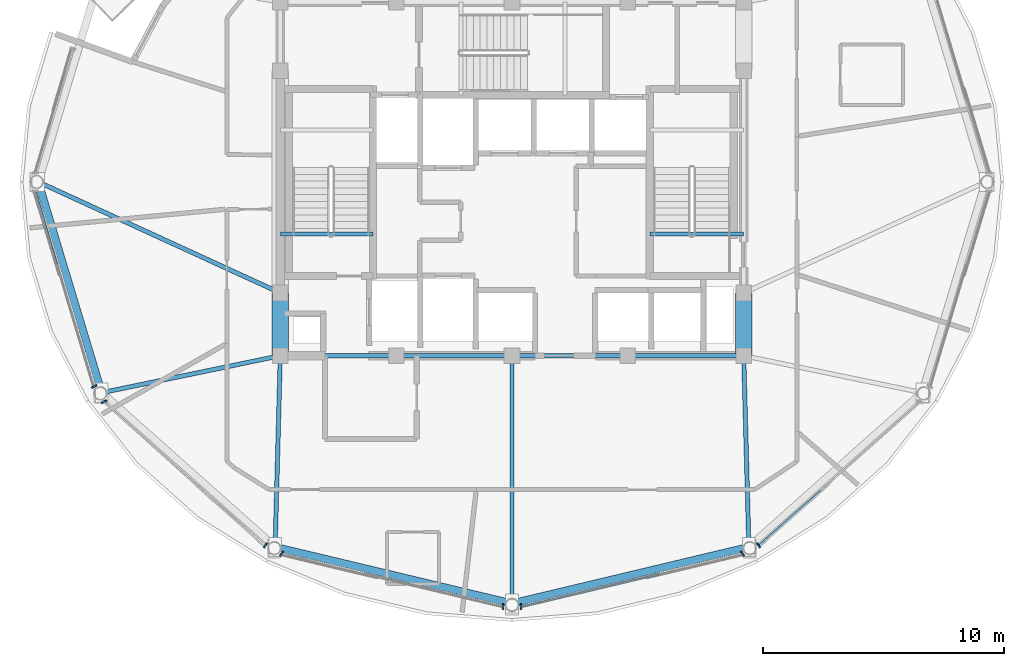
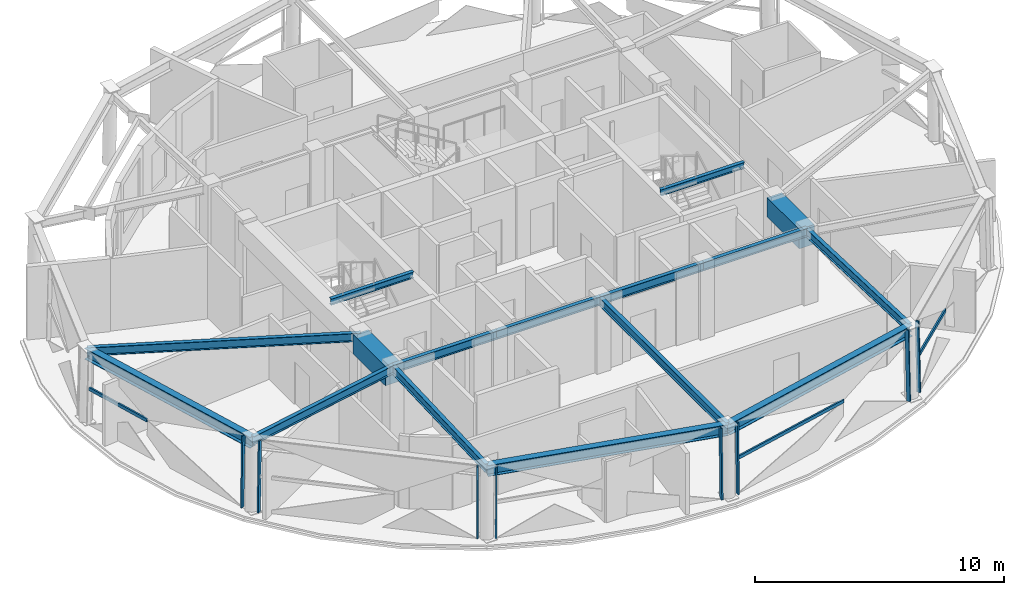
# One storey, part 2 of 14: 16 beams, 11 members, 5 elements without a shape of their own.
"""IFC4 building model written with IfcOpenShell, lengths in metres."""

import ifcopenshell
import ifcopenshell.guid

model = None  # the IFC model being written
_history = None  # IfcOwnerHistory: only IFC2X3 demands one
_inside = {}  # id of a spatial element -> (the spatial element, [elements in it])
_under = {}  # id of a project, library or spatial element -> (it, [spatial elements below it])
_declared = {}  # id of a project -> (the project, [libraries it declares])
_typed = {}  # id of a type object -> (the type object, [elements of that type])
_made_of = {}  # id of a material, layer set ... -> (it, [elements and type objects made of it])


def new_model(schema):
    """Start an empty IFC model of exactly this schema.

    Asked for "IFC4X3", IfcOpenShell would pick the latest addendum, in which some entities
    have other attributes; the version numbers below select the first issue.
    IFC2X3 requires an IfcOwnerHistory on every rooted entity: one is made here for all.
    """
    global model, _history
    if schema == "IFC4X3":
        model = ifcopenshell.file(schema_version=(4, 3, 0, 0))
    else:
        model = ifcopenshell.file(schema=schema)
    _inside.clear()
    _under.clear()
    _declared.clear()
    _typed.clear()
    _made_of.clear()
    _history = None
    if model.schema == "IFC2X3":
        org = make("IfcOrganization", Name="unknown")
        user = make(
            "IfcPersonAndOrganization",
            ThePerson=make("IfcPerson", FamilyName="unknown"),
            TheOrganization=org,
        )
        app = make(
            "IfcApplication",
            ApplicationDeveloper=org,
            Version="unknown",
            ApplicationFullName="unknown",
            ApplicationIdentifier="unknown",
        )
        _history = make(
            "IfcOwnerHistory",
            OwningUser=user,
            OwningApplication=app,
            ChangeAction="ADDED",
            CreationDate=0,
        )
    return model


def make(cls, **values):
    """One entity of the class cls with the attributes given. An attribute that is None is left unset."""
    return model.create_entity(
        cls, **{name: value for name, value in values.items() if value is not None}
    )


def rooted(cls, **values):
    """An entity with a GlobalId (a new one), such as an element, a storey or a relation."""
    return make(cls, GlobalId=ifcopenshell.guid.new(), OwnerHistory=_history, **values)


def si_unit(unit_type, name, prefix=None):
    """IfcSIUnit, for example si_unit("LENGTHUNIT", "METRE", prefix="MILLI")."""
    return make("IfcSIUnit", UnitType=unit_type, Prefix=prefix, Name=name)


def assignment(units):
    """IfcUnitAssignment: the units of a project."""
    return None if units is None else make("IfcUnitAssignment", Units=units)


def point(xyz):
    """IfcCartesianPoint."""
    return None if xyz is None else make("IfcCartesianPoint", Coordinates=xyz)


def direction(xyz):
    """IfcDirection."""
    return None if xyz is None else make("IfcDirection", DirectionRatios=xyz)


def frame(location, z_axis=None, x_axis=None):
    """IfcAxis2Placement3D, a coordinate frame: its origin and axes. An axis left out is left unset."""
    return make(
        "IfcAxis2Placement3D",
        Location=point(location),
        Axis=direction(z_axis),
        RefDirection=direction(x_axis),
    )


def frame_2d(location, x_axis=None):
    """IfcAxis2Placement2D, a coordinate frame in the plane: its origin and x axis."""
    return make(
        "IfcAxis2Placement2D", Location=point(location), RefDirection=direction(x_axis)
    )


def origin():
    """The frame at (0, 0, 0) with its axes left unset."""
    return frame((0.0, 0.0, 0.0))


def origin_2d():
    """The frame at (0, 0) in the plane with its x axis left unset."""
    return frame_2d((0.0, 0.0))


def place(relative_to, where):
    """IfcLocalPlacement: puts the frame where relative to a parent placement (None: the world)."""
    return make(
        "IfcLocalPlacement", PlacementRelTo=relative_to, RelativePlacement=where
    )


def context(
    kind, dimensions, precision=None, world=None, true_north=None, identifier=None
):
    """IfcGeometricRepresentationContext, for example the 3D "Model" context."""
    return make(
        "IfcGeometricRepresentationContext",
        ContextIdentifier=identifier,
        ContextType=kind,
        CoordinateSpaceDimension=dimensions,
        Precision=precision,
        WorldCoordinateSystem=world,
        TrueNorth=true_north,
    )


def subcontext(parent, identifier, kind, view, scale=None):
    """IfcGeometricRepresentationSubContext, for example "Body" below "Model"."""
    return make(
        "IfcGeometricRepresentationSubContext",
        ContextIdentifier=identifier,
        ContextType=kind,
        ParentContext=parent,
        TargetScale=scale,
        TargetView=view,
    )


def project(units=None, contexts=None):
    """IfcProject with its units and contexts."""
    return rooted(
        "IfcProject",
        Name="project",
        RepresentationContexts=contexts,
        UnitsInContext=assignment(units),
    )


def spatial(cls, under=None, at=None, **own):
    """A site, building, storey or space (cls), placed at a placement, below another one or the project."""
    s = rooted(cls, ObjectPlacement=at, **own)
    if under is not None:
        _under.setdefault(under.id(), (under, []))[1].append(s)
    return s


def profile(cls, at=None, kind="AREA", **sizes):
    """A parametric profile (cls). Its sizes go by their IFC names, for example OverallWidth=200.0."""
    return make(cls, ProfileType=kind, Position=at, **sizes)


def rectangle(**sizes):
    """IfcRectangleProfileDef."""
    return profile("IfcRectangleProfileDef", **sizes)


def hollow_rectangle(**sizes):
    """IfcRectangleHollowProfileDef."""
    return profile("IfcRectangleHollowProfileDef", **sizes)


def i_section(**sizes):
    """IfcIShapeProfileDef."""
    return profile("IfcIShapeProfileDef", **sizes)


def extrude(swept, where, along, depth):
    """IfcExtrudedAreaSolid: the profile swept, set in the frame where, extruded along a direction by depth."""
    return make(
        "IfcExtrudedAreaSolid",
        SweptArea=swept,
        Position=where,
        ExtrudedDirection=direction(along),
        Depth=depth,
    )


def shape(context_of_items, identifier, shape_type, items):
    """IfcShapeRepresentation: the items that make up one representation, for example the "Body"."""
    return make(
        "IfcShapeRepresentation",
        ContextOfItems=context_of_items,
        RepresentationIdentifier=identifier,
        RepresentationType=shape_type,
        Items=items,
    )


def material(Name=None, Category=None):
    """IfcMaterial."""
    return make("IfcMaterial", Name=Name, Category=Category)


def layer(
    of_material, thickness, ventilated=None, Name=None, Category=None, Priority=None
):
    """IfcMaterialLayer: one layer of a wall or slab, of a material (None: an air gap)."""
    return make(
        "IfcMaterialLayer",
        Material=of_material,
        LayerThickness=thickness,
        IsVentilated=ventilated,
        Name=Name,
        Category=Category,
        Priority=Priority,
    )


def layer_set(layers, Name=None):
    """IfcMaterialLayerSet."""
    return make("IfcMaterialLayerSet", MaterialLayers=layers, LayerSetName=Name)


def material_profile(
    of_material, cross_section, Name=None, Category=None, Priority=None
):
    """IfcMaterialProfile: a cross section and its material."""
    return make(
        "IfcMaterialProfile",
        Name=Name,
        Material=of_material,
        Profile=cross_section,
        Priority=Priority,
        Category=Category,
    )


def profile_set(profiles, Name=None, composite=None):
    """IfcMaterialProfileSet."""
    return make(
        "IfcMaterialProfileSet",
        Name=Name,
        MaterialProfiles=profiles,
        CompositeProfile=composite,
    )


def made_of(thing, what):
    """Note that an element or type object is made of a material, layer set ...; save() writes the relation."""
    if what is not None:
        _made_of.setdefault(what.id(), (what, []))[1].append(thing)
    return thing


def type_object(cls, material=None, **own):
    """A type object (cls), such as IfcWallType, which elements share."""
    return made_of(rooted(cls, **own), material)


def element(
    cls,
    number,
    at=None,
    inside=None,
    cuts=None,
    type_object=None,
    material=None,
    context=None,
    identifier="Body",
    shape_type=None,
    held_by="IfcProductDefinitionShape",
    body=None,
    shapes=None,
    **own,
):
    """One element of the class cls, such as IfcWall. Its Tag is "e" and its number.

    at: its placement. inside: the storey or other place that contains it. cuts: it is an
    opening in that element (IfcRelVoidsElement). A single representation is given by context,
    identifier, shape_type and body (its items); several are given by shapes. held_by: the class
    of the entity that holds the representations. save() writes the other relations.
    """
    e = rooted(cls, Tag="e%d" % number, ObjectPlacement=at, **own)
    if body is not None:
        shapes = [shape(context, identifier, shape_type, body)]
    if shapes is not None:
        e.Representation = make(held_by, Representations=shapes)
    if inside is not None:
        _inside.setdefault(inside.id(), (inside, []))[1].append(e)
    if cuts is not None:
        rooted(
            "IfcRelVoidsElement", RelatingBuildingElement=cuts, RelatedOpeningElement=e
        )
    if type_object is not None:
        _typed.setdefault(type_object.id(), (type_object, []))[1].append(e)
    return made_of(e, material)


def aggregate(whole, parts):
    """IfcRelAggregates: a whole, such as a stair, and the parts it consists of."""
    return rooted("IfcRelAggregates", RelatingObject=whole, RelatedObjects=parts)


def save(model, path):
    """Write the relations noted so far, then the file.

    IfcRelAggregates (storeys below a building ...), IfcRelContainedInSpatialStructure (elements
    in a storey), IfcRelDefinesByType, IfcRelAssociatesMaterial and IfcRelDeclares: one each for
    every whole, place, type object, material and project.
    """
    for whole, parts in _under.values():
        aggregate(whole, parts)
    for where, things in _inside.values():
        rooted(
            "IfcRelContainedInSpatialStructure",
            RelatedElements=things,
            RelatingStructure=where,
        )
    for kind, things in _typed.values():
        rooted("IfcRelDefinesByType", RelatedObjects=things, RelatingType=kind)
    for what, things in _made_of.values():
        rooted("IfcRelAssociatesMaterial", RelatedObjects=things, RelatingMaterial=what)
    for by, libraries in _declared.values():
        rooted("IfcRelDeclares", RelatingContext=by, RelatedDefinitions=libraries)
    model.write(path)


model = new_model("IFC4")

# Units and contexts
model_context = context("Model", 3, precision=1e-05, world=origin(), true_north=direction((0.0, 1.0)))
body_context = subcontext(model_context, "Body", "Model", "MODEL_VIEW")
ifc_project = project(units=[si_unit("LENGTHUNIT", "METRE"), si_unit("AREAUNIT", "SQUARE_METRE"), si_unit("VOLUMEUNIT", "CUBIC_METRE"), si_unit("PLANEANGLEUNIT", "RADIAN"), si_unit("MASSUNIT", "GRAM", prefix="KILO")], contexts=[model_context])

# Site, building, storey
site_placement = place(None, origin())
site = spatial("IfcSite", under=ifc_project, at=site_placement, CompositionType="ELEMENT")
building_placement = place(site_placement, origin())
building = spatial("IfcBuilding", under=site, at=building_placement, Name="Vantalir Tower", CompositionType="ELEMENT")
storey_placement = place(building_placement, frame((0.0, 0.0, 271.35009765625)))
storey = spatial("IfcBuildingStorey", under=building, at=storey_placement, Name="L68", CompositionType="ELEMENT", Elevation=271.35009765625)

# Beams
ifc_material_1 = material(Name="Concrete C60/75", Category="concrete")
ifc_material_profile_1 = material_profile(ifc_material_1, rectangle(XDim=0.699951171875, YDim=0.949951171875, at=origin_2d()), Name="Concrete C60/75")
ifc_profile_set_1 = profile_set([ifc_material_profile_1], Name="Concrete C60/75")
beam_type_1 = type_object("IfcBeamType", Name="BM-CB-700x950", PredefinedType="USERDEFINED", material=ifc_profile_set_1)
for number, where, z_axis, x_axis, name in (
    (1, (41.10009765625, 17.800048828125, 3.094970703125), (0.0, 1.0, 0.0), (-1.0, 0.0, 0.0), "L68 Core Coupling Girder 05"),
    (2, (21.89990234375, 20.39990234375, 3.094970703125), (0.0, -1.0, 0.0), (1.0, 0.0, 0.0), "L68 Core Coupling Girder 14"),
):
    element("IfcBeam", number, at=place(storey_placement, frame(where, z_axis=z_axis, x_axis=x_axis)), inside=storey, type_object=beam_type_1, Name=name, ObjectType="GIRDER", PredefinedType="USERDEFINED", context=body_context, shape_type="SweptSolid", body=[
        extrude(rectangle(XDim=0.699951171875, YDim=0.949951171875, at=origin_2d()), origin(), (0.0, 0.0, 1.0), 2.599853515625),
    ])
ifc_material_2 = material(Name="Steel S355", Category="steel")
ifc_material_profile_2 = material_profile(ifc_material_2, i_section(OverallWidth=0.166015625, OverallDepth=0.306884765625, WebThickness=0.006591796875, FlangeThickness=0.01171875, at=origin_2d()), Name="Steel S355")
ifc_profile_set_2 = profile_set([ifc_material_profile_2], Name="Steel S355")
beam_type_2 = type_object("IfcBeamType", Name="BM-JS-305x165", PredefinedType="JOIST", material=ifc_profile_set_2)
beam_1_placement = place(storey_placement, frame((21.89990234375, 22.8349609375, 3.595947265625), z_axis=(1.0, 0.0, 0.0), x_axis=(0.0, 1.0, 0.0)))
element("IfcBeam", 3, at=beam_1_placement, inside=storey, type_object=beam_type_2, Name="L69 Stair ST1 Well Nosing Trimmer Beam", PredefinedType="JOIST", context=body_context, shape_type="SweptSolid", body=[
    extrude(i_section(OverallWidth=0.166015625, OverallDepth=0.306884765625, WebThickness=0.006591796875, FlangeThickness=0.01171875, at=origin_2d()), origin(), (0.0, 0.0, 1.0), 3.840087890625),
])
beam_2_placement = place(storey_placement, frame((37.2099609375, 22.8349609375, 3.595947265625), z_axis=(1.0, 0.0, 0.0), x_axis=(0.0, 1.0, 0.0)))
element("IfcBeam", 4, at=beam_2_placement, inside=storey, type_object=beam_type_2, Name="L69 Stair ST2 Well Nosing Trimmer Beam", PredefinedType="JOIST", context=body_context, shape_type="SweptSolid", body=[
    extrude(i_section(OverallWidth=0.166015625, OverallDepth=0.306884765625, WebThickness=0.006591796875, FlangeThickness=0.01171875, at=origin_2d()), origin(), (0.0, 0.0, 1.0), 3.89013671875),
])
ifc_material_profile_3 = material_profile(ifc_material_2, i_section(OverallWidth=0.179931640625, OverallDepth=0.4130859375, WebThickness=0.009521484375, FlangeThickness=0.01611328125, at=origin_2d()), Name="Steel S355")
ifc_profile_set_3 = profile_set([ifc_material_profile_3], Name="Steel S355")
beam_type_3 = type_object("IfcBeamType", Name="BM-RB-406x178", PredefinedType="BEAM", material=ifc_profile_set_3)
for number, where, z_axis, x_axis, name in (
    (5, (21.89990234375, 17.800048828125, 3.364013671875), (1.0, 0.0, 0.0), (0.0, 1.0, 0.0), "L68 Core Coupling Girder 01"),
    (6, (26.699951171875, 17.800048828125, 3.364013671875), (1.0, 0.0, 0.0), (0.0, 1.0, 0.0), "L68 Core Coupling Girder 02"),
    (7, (31.5, 17.800048828125, 3.364013671875), (1.0, 0.0, 0.0), (0.0, 1.0, 0.0), "L68 Core Coupling Girder 03"),
    (8, (36.300048828125, 17.800048828125, 3.364013671875), (1.0, 0.0, 0.0), (0.0, 1.0, 0.0), "L68 Core Coupling Girder 04"),
):
    element("IfcBeam", number, at=place(storey_placement, frame(where, z_axis=z_axis, x_axis=x_axis)), inside=storey, type_object=beam_type_3, Name=name, PredefinedType="BEAM", context=body_context, shape_type="SweptSolid", body=[
        extrude(i_section(OverallWidth=0.179931640625, OverallDepth=0.4130859375, WebThickness=0.009521484375, FlangeThickness=0.01611328125, at=origin_2d()), origin(), (0.0, 0.0, 1.0), 4.800048828125),
    ])
beam_3_placement = place(storey_placement, frame((11.8701171875, 25.0, 3.364013671875), z_axis=(0.908957943244, -0.416887823538, 0.0), x_axis=(0.416887823538, 0.908957943244, 0.0)))
element("IfcBeam", 9, at=beam_3_placement, inside=storey, type_object=beam_type_3, Name="L68 Radial Floor Beam 07", PredefinedType="BEAM", context=body_context, shape_type="SweptSolid", body=[
    extrude(i_section(OverallWidth=0.179931640625, OverallDepth=0.4130859375, WebThickness=0.009521484375, FlangeThickness=0.01611328125, at=origin_2d()), origin(), (0.0, 0.0, 1.0), 11.034423828125),
])
beam_4_placement = place(storey_placement, frame((14.5, 16.26611328125, 3.364013671875), z_axis=(0.979183655708, 0.202976275447, 0.0), x_axis=(-0.202976275447, 0.979183655708, 0.0)))
element("IfcBeam", 10, at=beam_4_placement, inside=storey, type_object=beam_type_3, Name="L68 Radial Floor Beam 08", PredefinedType="BEAM", context=body_context, shape_type="SweptSolid", body=[
    extrude(i_section(OverallWidth=0.179931640625, OverallDepth=0.4130859375, WebThickness=0.009521484375, FlangeThickness=0.01611328125, at=origin_2d()), origin(), (0.0, 0.0, 1.0), 7.55712890625),
])
beam_5_placement = place(storey_placement, frame((21.68505859375, 9.8720703125, 3.364013671875), z_axis=(0.027089491298, 0.999633012391, 0.0), x_axis=(-0.999633012391, 0.027089491298, 0.0)))
element("IfcBeam", 11, at=beam_5_placement, inside=storey, type_object=beam_type_3, Name="L68 Radial Floor Beam 09", PredefinedType="BEAM", context=body_context, shape_type="SweptSolid", body=[
    extrude(i_section(OverallWidth=0.179931640625, OverallDepth=0.4130859375, WebThickness=0.009521484375, FlangeThickness=0.01611328125, at=origin_2d()), origin(), (0.0, 0.0, 1.0), 7.930908203125),
])
beam_6_placement = place(storey_placement, frame((31.5, 7.531982421875, 3.364013671875), z_axis=(0.0, 1.0, 0.0), x_axis=(-1.0, 0.0, 0.0)))
element("IfcBeam", 12, at=beam_6_placement, inside=storey, type_object=beam_type_3, Name="L68 Radial Floor Beam 10", PredefinedType="BEAM", context=body_context, shape_type="SweptSolid", body=[
    extrude(i_section(OverallWidth=0.179931640625, OverallDepth=0.4130859375, WebThickness=0.009521484375, FlangeThickness=0.01611328125, at=origin_2d()), origin(), (0.0, 0.0, 1.0), 10.26806640625),
])
beam_7_placement = place(storey_placement, frame((41.31494140625, 9.8720703125, 3.364013671875), z_axis=(-0.027089491298, 0.999633012391, 0.0), x_axis=(-0.999633012391, -0.027089491298, 0.0)))
element("IfcBeam", 13, at=beam_7_placement, inside=storey, type_object=beam_type_3, Name="L68 Radial Floor Beam 11", PredefinedType="BEAM", context=body_context, shape_type="SweptSolid", body=[
    extrude(i_section(OverallWidth=0.179931640625, OverallDepth=0.4130859375, WebThickness=0.009521484375, FlangeThickness=0.01611328125, at=origin_2d()), origin(), (0.0, 0.0, 1.0), 7.930908203125),
])
ifc_material_3 = material(Name="Steel S460", Category="steel")
ifc_material_profile_4 = material_profile(ifc_material_3, i_section(OverallWidth=0.31201171875, OverallDepth=0.5419921875, WebThickness=0.0126953125, FlangeThickness=0.020263671875, at=origin_2d()), Name="Steel S460")
ifc_profile_set_4 = profile_set([ifc_material_profile_4], Name="Steel S460")
beam_type_4 = type_object("IfcBeamType", Name="BM-RG-533x312", PredefinedType="USERDEFINED", material=ifc_profile_set_4)
beam_8_placement = place(storey_placement, frame((11.8701171875, 25.0, 3.298828125), z_axis=(0.288325069141, -0.957532586654, 0.0), x_axis=(0.957532586654, 0.288325069141, 0.0)))
element("IfcBeam", 14, at=beam_8_placement, inside=storey, type_object=beam_type_4, Name="L68 Circumferential Ring Girder 07", ObjectType="GIRDER", PredefinedType="USERDEFINED", context=body_context, shape_type="SweptSolid", body=[
    extrude(i_section(OverallWidth=0.31201171875, OverallDepth=0.5419921875, WebThickness=0.0126953125, FlangeThickness=0.020263671875, at=origin_2d()), origin(), (0.0, 0.0, 1.0), 9.121337890625),
])
for number, where, z_axis, x_axis, name in (
    (15, (21.68505859375, 9.8720703125, 3.298828125), (0.972734774168, -0.231920372379, 0.0), (0.231920372379, 0.972734774168, 0.0), "L68 Circumferential Ring Girder 09"),
    (16, (31.5, 7.531982421875, 3.298828125), (0.972734774168, 0.231920372379, 0.0), (-0.231920372379, 0.972734774168, 0.0), "L68 Circumferential Ring Girder 10"),
):
    element("IfcBeam", number, at=place(storey_placement, frame(where, z_axis=z_axis, x_axis=x_axis)), inside=storey, type_object=beam_type_4, Name=name, ObjectType="GIRDER", PredefinedType="USERDEFINED", context=body_context, shape_type="SweptSolid", body=[
        extrude(i_section(OverallWidth=0.31201171875, OverallDepth=0.5419921875, WebThickness=0.0126953125, FlangeThickness=0.020263671875, at=origin_2d()), origin(), (0.0, 0.0, 1.0), 10.090087890625),
    ])

# Curtain wall, member
ifc_material_4 = material(Name="Champagne-silver PVDF aluminium and double-silver Low-E glass", Category="aluminium")
ifc_layer = layer(ifc_material_4, 0.219970703125)
ifc_layer_set = layer_set([ifc_layer], Name="Champagne-silver PVDF aluminium and double-silver Low-E glass")
curtain_wall_type = type_object("IfcCurtainWallType", Name="CW-DIAMOND-Z4", PredefinedType="USERDEFINED", material=ifc_layer_set)
curtain_wall_1_placement = place(storey_placement, origin())
curtain_wall_1 = element("IfcCurtainWall", 17, at=curtain_wall_1_placement, inside=storey, type_object=curtain_wall_type, Name="L68 Quilted Pyramid-Diamond Curtain Wall S07", ObjectType="UNITISED CURTAIN WALL", PredefinedType="USERDEFINED")
ifc_material_5 = material(Name="Champagne-silver PVDF aluminium 6063-T6", Category="aluminium")
ifc_material_profile_5 = material_profile(ifc_material_5, hollow_rectangle(XDim=0.070068359375, YDim=0.1650390625, WallThickness=0.00390625, at=origin_2d()), Name="Champagne-silver PVDF aluminium 6063-T6")
ifc_profile_set_5 = profile_set([ifc_material_profile_5], Name="Champagne-silver PVDF aluminium 6063-T6")
member_type_1 = type_object("IfcMemberType", Name="CWM-165x70", PredefinedType="MULLION", material=ifc_profile_set_5)
member_1_placement = place(storey_placement, frame((14.154052734375, 16.508056640625, 0.044921875), z_axis=(0.019778998325, 0.010310328914, 0.999751213224), x_axis=(-0.462243581644, 0.886752993358, 0.0)))
member_1 = element("IfcMember", 18, at=member_1_placement, type_object=member_type_1, Name="CW-L68-S07 Mullion 2", PredefinedType="MULLION", context=body_context, shape_type="SweptSolid", body=[
    extrude(hollow_rectangle(XDim=0.070068359375, YDim=0.1650390625, WallThickness=0.00390625, at=origin_2d()), origin(), (0.0, 0.0, 1.0), 3.48095703125),
])

# Curtain wall, members
curtain_wall_2_placement = place(storey_placement, origin())
curtain_wall_2 = element("IfcCurtainWall", 19, at=curtain_wall_2_placement, inside=storey, type_object=curtain_wall_type, Name="L68 Quilted Pyramid-Diamond Curtain Wall S08", ObjectType="UNITISED CURTAIN WALL", PredefinedType="USERDEFINED")
member_2_placement = place(storey_placement, frame((14.556884765625, 15.8759765625, 0.044921875), z_axis=(0.01984909463, 0.010380445248, 0.999749098424), x_axis=(-0.463421877407, 0.886137779096, 0.0)))
member_2 = element("IfcMember", 20, at=member_2_placement, type_object=member_type_1, Name="CW-L68-S08 Mullion 1", PredefinedType="MULLION", context=body_context, shape_type="SweptSolid", body=[
    extrude(hollow_rectangle(XDim=0.070068359375, YDim=0.1650390625, WallThickness=0.00390625, at=origin_2d()), origin(), (0.0, 0.0, 1.0), 3.48095703125),
])
member_3_placement = place(storey_placement, frame((21.259033203125, 9.905029296875, 0.044921875), z_axis=(0.011502954924, 0.017815552138, 0.999775118779), x_axis=(-0.840102178973, 0.54242817855, 0.0)))
member_3 = element("IfcMember", 21, at=member_3_placement, type_object=member_type_1, Name="CW-L68-S08 Mullion 2", PredefinedType="MULLION", context=body_context, shape_type="SweptSolid", body=[
    extrude(hollow_rectangle(XDim=0.070068359375, YDim=0.1650390625, WallThickness=0.00390625, at=origin_2d()), origin(), (0.0, 0.0, 1.0), 3.480712890625),
])
aggregate(curtain_wall_2, [member_2, member_3])

curtain_wall_3_placement = place(storey_placement, origin())
curtain_wall_3 = element("IfcCurtainWall", 22, at=curtain_wall_3_placement, inside=storey, type_object=curtain_wall_type, Name="L68 Quilted Pyramid-Diamond Curtain Wall S09", ObjectType="UNITISED CURTAIN WALL", PredefinedType="USERDEFINED")
member_4_placement = place(storey_placement, frame((21.928955078125, 9.554931640625, 0.044921875), z_axis=(0.011502954924, 0.017815552138, 0.999775118779), x_axis=(-0.840102178973, 0.54242817855, 0.0)))
member_4 = element("IfcMember", 23, at=member_4_placement, type_object=member_type_1, Name="CW-L68-S09 Mullion 1", PredefinedType="MULLION", context=body_context, shape_type="SweptSolid", body=[
    extrude(hollow_rectangle(XDim=0.070068359375, YDim=0.1650390625, WallThickness=0.00390625, at=origin_2d()), origin(), (0.0, 0.0, 1.0), 3.480712890625),
])
member_5_placement = place(storey_placement, frame((31.12109375, 7.362060546875, 0.044921875), z_axis=(0.0, 0.02041106894, 0.999791672432), x_axis=(-1.0, 0.0, 0.0)))
member_5 = element("IfcMember", 24, at=member_5_placement, type_object=member_type_1, Name="CW-L68-S09 Mullion 2", PredefinedType="MULLION", context=body_context, shape_type="SweptSolid", body=[
    extrude(hollow_rectangle(XDim=0.070068359375, YDim=0.1650390625, WallThickness=0.00390625, at=origin_2d()), origin(), (0.0, 0.0, 1.0), 3.480712890625),
])
aggregate(curtain_wall_3, [member_4, member_5])

curtain_wall_4_placement = place(storey_placement, origin())
curtain_wall_4 = element("IfcCurtainWall", 25, at=curtain_wall_4_placement, inside=storey, type_object=curtain_wall_type, Name="L68 Quilted Pyramid-Diamond Curtain Wall S10", ObjectType="UNITISED CURTAIN WALL", PredefinedType="USERDEFINED")
member_6_placement = place(storey_placement, frame((31.87890625, 7.362060546875, 0.044921875), z_axis=(0.0, 0.02041106894, 0.999791672432), x_axis=(-1.0, 0.0, 0.0)))
member_6 = element("IfcMember", 26, at=member_6_placement, type_object=member_type_1, Name="CW-L68-S10 Mullion 1", PredefinedType="MULLION", context=body_context, shape_type="SweptSolid", body=[
    extrude(hollow_rectangle(XDim=0.070068359375, YDim=0.1650390625, WallThickness=0.00390625, at=origin_2d()), origin(), (0.0, 0.0, 1.0), 3.480712890625),
])
member_7_placement = place(storey_placement, frame((41.071044921875, 9.554931640625, 0.044921875), z_axis=(-0.011502954924, 0.017815552138, 0.999775118779), x_axis=(-0.840102178973, -0.54242817855, 0.0)))
member_7 = element("IfcMember", 27, at=member_7_placement, type_object=member_type_1, Name="CW-L68-S10 Mullion 2", PredefinedType="MULLION", context=body_context, shape_type="SweptSolid", body=[
    extrude(hollow_rectangle(XDim=0.070068359375, YDim=0.1650390625, WallThickness=0.00390625, at=origin_2d()), origin(), (0.0, 0.0, 1.0), 3.480712890625),
])

# Curtain wall, member
curtain_wall_5_placement = place(storey_placement, origin())
curtain_wall_5 = element("IfcCurtainWall", 28, at=curtain_wall_5_placement, inside=storey, type_object=curtain_wall_type, Name="L68 Quilted Pyramid-Diamond Curtain Wall S11", ObjectType="UNITISED CURTAIN WALL", PredefinedType="USERDEFINED")
member_8_placement = place(storey_placement, frame((41.740966796875, 9.905029296875, 0.044921875), z_axis=(-0.011502954924, 0.017815552138, 0.999775118779), x_axis=(-0.840102178973, -0.54242817855, 0.0)))
member_8 = element("IfcMember", 29, at=member_8_placement, type_object=member_type_1, Name="CW-L68-S11 Mullion 1", PredefinedType="MULLION", context=body_context, shape_type="SweptSolid", body=[
    extrude(hollow_rectangle(XDim=0.070068359375, YDim=0.1650390625, WallThickness=0.00390625, at=origin_2d()), origin(), (0.0, 0.0, 1.0), 3.480712890625),
])

# Member
ifc_material_profile_6 = material_profile(ifc_material_5, hollow_rectangle(XDim=0.074951171875, YDim=0.159912109375, WallThickness=0.00390625, at=origin_2d()), Name="Champagne-silver PVDF aluminium 6063-T6")
ifc_profile_set_6 = profile_set([ifc_material_profile_6], Name="Champagne-silver PVDF aluminium 6063-T6")
member_type_2 = type_object("IfcMemberType", Name="CWT-160x75", PredefinedType="USERDEFINED", material=ifc_profile_set_6)
member_9_placement = place(storey_placement, frame((11.751953125, 24.626953125, 1.784912109375), z_axis=(0.280828747055, -0.95975789386, 0.0), x_axis=(0.95975789386, 0.280828747055, 0.0)))
member_9 = element("IfcMember", 30, at=member_9_placement, type_object=member_type_2, Name="CW-L68-S07 Pyramid Fold Ridge Transom", ObjectType="TRANSOM", PredefinedType="USERDEFINED", context=body_context, shape_type="SweptSolid", body=[
    extrude(hollow_rectangle(XDim=0.074951171875, YDim=0.159912109375, WallThickness=0.00390625, at=origin_2d()), origin(), (0.0, 0.0, 1.0), 3.212158203125),
])

aggregate(curtain_wall_1, [member_1, member_9])

member_10_placement = place(storey_placement, frame((31.87890625, 7.39697265625, 1.784912109375), z_axis=(0.973609500391, 0.228220377594, 0.0), x_axis=(-0.228220377594, 0.973609500391, 0.0)))
member_10 = element("IfcMember", 31, at=member_10_placement, type_object=member_type_2, Name="CW-L68-S10 Pyramid Fold Ridge Transom", ObjectType="TRANSOM", PredefinedType="USERDEFINED", context=body_context, shape_type="SweptSolid", body=[
    extrude(hollow_rectangle(XDim=0.074951171875, YDim=0.159912109375, WallThickness=0.00390625, at=origin_2d()), origin(), (0.0, 0.0, 1.0), 5.849365234375),
])

aggregate(curtain_wall_4, [member_6, member_7, member_10])

member_11_placement = place(storey_placement, frame((41.720947265625, 9.93603515625, 1.784912109375), z_axis=(0.751304944048, 0.659955211397, 0.0), x_axis=(-0.659955211397, 0.751304944048, 0.0)))
member_11 = element("IfcMember", 32, at=member_11_placement, type_object=member_type_2, Name="CW-L68-S11 Pyramid Fold Ridge Transom", ObjectType="TRANSOM", PredefinedType="USERDEFINED", context=body_context, shape_type="SweptSolid", body=[
    extrude(hollow_rectangle(XDim=0.074951171875, YDim=0.159912109375, WallThickness=0.00390625, at=origin_2d()), origin(), (0.0, 0.0, 1.0), 3.40478515625),
])

aggregate(curtain_wall_5, [member_8, member_11])

save(model, "model.ifc")
